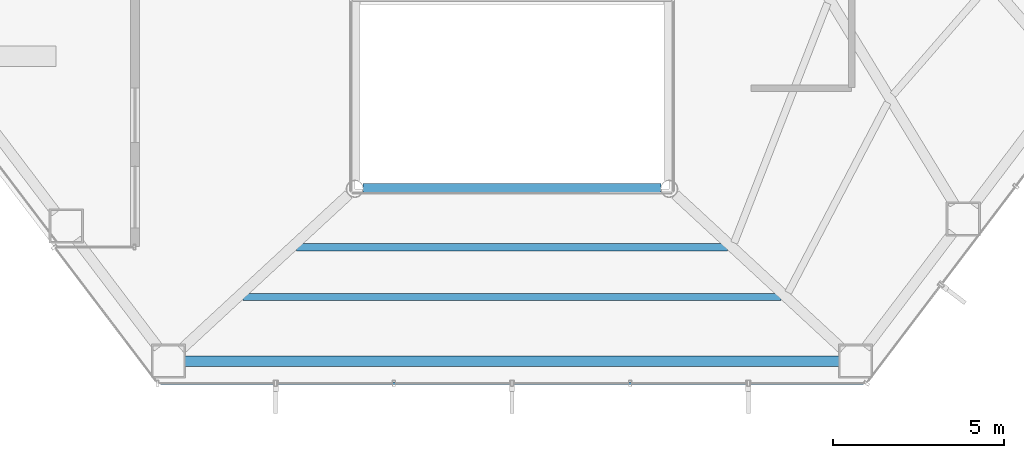
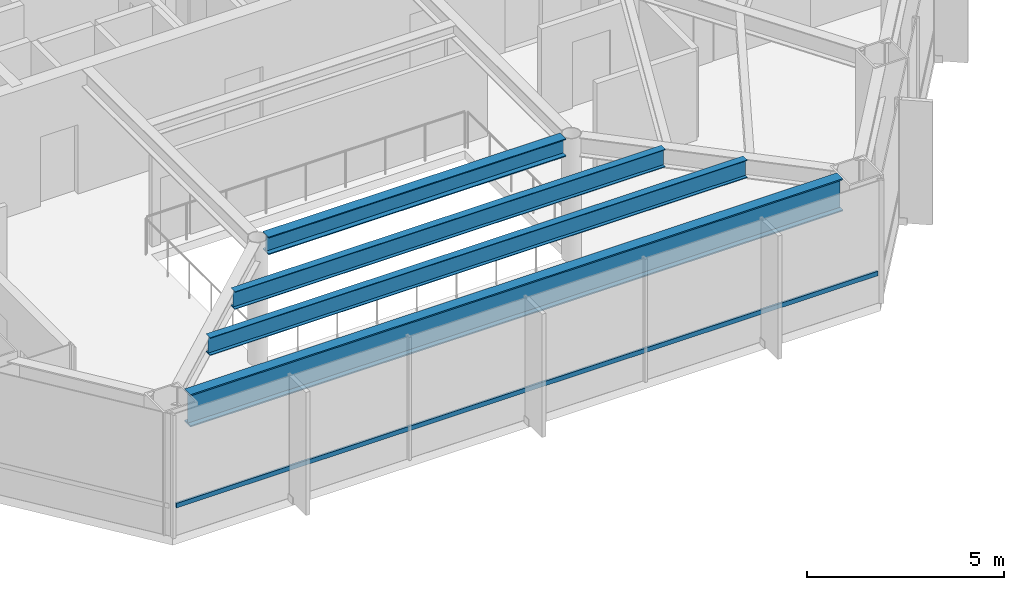
# One storey, part 5 of 24: 4 beams, 1 member, 1 element without a shape of its own.
"""IFC4 building model written with IfcOpenShell, lengths in metres."""

from ifc_helpers import new_model, si_unit, direction, frame, origin, origin_2d, place, context, subcontext, project, spatial, hollow_rectangle, i_section, extrude, material, layer, layer_set, material_profile, profile_set, type_object, element, aggregate, save


model = new_model("IFC4")

# Units and contexts
model_context = context("Model", 3, precision=1e-05, world=origin(), true_north=direction((0.0, 1.0)))
body_context = subcontext(model_context, "Body", "Model", "MODEL_VIEW")
ifc_project = project(units=[si_unit("LENGTHUNIT", "METRE"), si_unit("AREAUNIT", "SQUARE_METRE"), si_unit("VOLUMEUNIT", "CUBIC_METRE"), si_unit("PLANEANGLEUNIT", "RADIAN"), si_unit("MASSUNIT", "GRAM", prefix="KILO")], contexts=[model_context])

# Site, building, storey
site_placement = place(None, origin())
site = spatial("IfcSite", under=ifc_project, at=site_placement, CompositionType="ELEMENT")
building_placement = place(site_placement, origin())
building = spatial("IfcBuilding", under=site, at=building_placement, Name="Zarrinselat Tower", CompositionType="ELEMENT")
storey_placement = place(building_placement, frame((0.0, 0.0, 64.260009765625)))
storey = spatial("IfcBuildingStorey", under=building, at=storey_placement, Name="L15", CompositionType="ELEMENT", Elevation=64.260009765625)

# Beams
ifc_material_1 = material(Name="Steel S355J2", Category="steel")
ifc_material_profile_1 = material_profile(ifc_material_1, i_section(OverallWidth=0.300048828125, OverallDepth=0.550048828125, WebThickness=0.014892578125, FlangeThickness=0.029052734375, at=origin_2d()), Name="HEB 550")
ifc_profile_set_1 = profile_set([ifc_material_profile_1], Name="Steel S355J2")
beam_type_1 = type_object("IfcBeamType", Name="BM-HEB550", PredefinedType="BEAM", material=ifc_profile_set_1)
beam_1_placement = place(storey_placement, frame((34.0400390625, 24.39990234375, 3.544921875), z_axis=(1.0, 0.0, 0.0), x_axis=(0.0, 1.0, 0.0)))
element("IfcBeam", 1, at=beam_1_placement, inside=storey, type_object=beam_type_1, Name="L15 Atrium Edge Beam S", PredefinedType="BEAM", context=body_context, shape_type="SweptSolid", body=[
    extrude(i_section(OverallWidth=0.300048828125, OverallDepth=0.550048828125, WebThickness=0.014892578125, FlangeThickness=0.029052734375, at=origin_2d()), origin(), (0.0, 0.0, 1.0), 8.719970703125),
])
ifc_material_2 = material(Name="Steel S460M", Category="steel")
ifc_material_profile_2 = material_profile(ifc_material_2, i_section(OverallWidth=0.302001953125, OverallDepth=1.008056640625, WebThickness=0.02099609375, FlangeThickness=0.0400390625, at=origin_2d()), Name="HEM 1000")
ifc_profile_set_2 = profile_set([ifc_material_profile_2], Name="Steel S460M")
beam_type_2 = type_object("IfcBeamType", Name="BM-HEM1000", PredefinedType="BEAM", material=ifc_profile_set_2)
beam_2_placement = place(storey_placement, frame((28.835693359375, 19.3564453125, 3.31591796875), z_axis=(1.0, 0.0, 0.0), x_axis=(0.0, 1.0, 0.0)))
element("IfcBeam", 2, at=beam_2_placement, inside=storey, type_object=beam_type_2, Name="L15 Perimeter Spandrel Girder SP10", PredefinedType="BEAM", context=body_context, shape_type="SweptSolid", body=[
    extrude(i_section(OverallWidth=0.302001953125, OverallDepth=1.008056640625, WebThickness=0.02099609375, FlangeThickness=0.0400390625, at=origin_2d()), origin(), (0.0, 0.0, 1.0), 19.128662109375),
])
ifc_material_3 = material(Name="Steel S355J2", Category="steel")
ifc_material_profile_3 = material_profile(ifc_material_3, i_section(OverallWidth=0.2099609375, OverallDepth=0.550048828125, WebThickness=0.010986328125, FlangeThickness=0.01708984375, at=origin_2d()), Name="IPE 550")
ifc_profile_set_3 = profile_set([ifc_material_profile_3], Name="Steel S355J2")
beam_type_3 = type_object("IfcBeamType", Name="BM-IPE550", PredefinedType="JOIST", material=ifc_profile_set_3)
beam_3_placement = place(storey_placement, frame((30.522216796875, 21.238525390625, 3.544921875), z_axis=(1.0, 0.0, 0.0), x_axis=(0.0, 1.0, 0.0)))
element("IfcBeam", 3, at=beam_3_placement, inside=storey, type_object=beam_type_3, Name="L15 Composite Floor Joist 1-1", PredefinedType="JOIST", context=body_context, shape_type="SweptSolid", body=[
    extrude(i_section(OverallWidth=0.2099609375, OverallDepth=0.550048828125, WebThickness=0.010986328125, FlangeThickness=0.01708984375, at=origin_2d()), origin(), (0.0, 0.0, 1.0), 15.75537109375),
])
beam_4_placement = place(storey_placement, frame((32.09033203125, 22.68896484375, 3.544921875), z_axis=(1.0, 0.0, 0.0), x_axis=(0.0, 1.0, 0.0)))
element("IfcBeam", 4, at=beam_4_placement, inside=storey, type_object=beam_type_3, Name="L15 Composite Floor Joist 1-2", PredefinedType="JOIST", context=body_context, shape_type="SweptSolid", body=[
    extrude(i_section(OverallWidth=0.2099609375, OverallDepth=0.550048828125, WebThickness=0.010986328125, FlangeThickness=0.01708984375, at=origin_2d()), origin(), (0.0, 0.0, 1.0), 12.619384765625),
])

# Curtain wall, member
ifc_material_4 = material(Name="Extruded Aluminium Alloy EN AW-6063 T6", Category="aluminium")
ifc_layer = layer(ifc_material_4, 0.18505859375)
ifc_layer_set = layer_set([ifc_layer], Name="Extruded Aluminium Alloy EN AW-6063 T6")
curtain_wall_type = type_object("IfcCurtainWallType", Name="CWS-OFF", PredefinedType="NOTDEFINED", material=ifc_layer_set)
curtain_wall_placement = place(storey_placement, origin())
curtain_wall = element("IfcCurtainWall", 5, at=curtain_wall_placement, inside=storey, type_object=curtain_wall_type, Name="L15 Unitised Curtain Wall CW-L15-E05", PredefinedType="NOTDEFINED")
ifc_material_5 = material(Name="Extruded Aluminium Alloy EN AW-6063 T6", Category="aluminium")
ifc_material_profile_4 = material_profile(ifc_material_5, hollow_rectangle(XDim=0.06005859375, YDim=0.139892578125, WallThickness=0.00390625, at=origin_2d()), Name="RHS 140x60x4")
ifc_profile_set_4 = profile_set([ifc_material_profile_4], Name="Extruded Aluminium Alloy EN AW-6063 T6")
member_type = type_object("IfcMemberType", Name="MEM-CW-TRN", PredefinedType="USERDEFINED", material=ifc_profile_set_4)
member_placement = place(storey_placement, frame((48.685302734375, 18.70654296875, 0.949951171875), z_axis=(-1.0, 0.0, 0.0), x_axis=(0.0, -1.0, 0.0)))
member = element("IfcMember", 6, at=member_placement, type_object=member_type, Name="CW-L15-E05 Transom 1", ObjectType="TRANSOM", PredefinedType="USERDEFINED", context=body_context, shape_type="SweptSolid", body=[
    extrude(hollow_rectangle(XDim=0.06005859375, YDim=0.139892578125, WallThickness=0.00390625, at=origin_2d()), origin(), (0.0, 0.0, 1.0), 20.570556640625),
])
aggregate(curtain_wall, [member])

save(model, "model.ifc")
